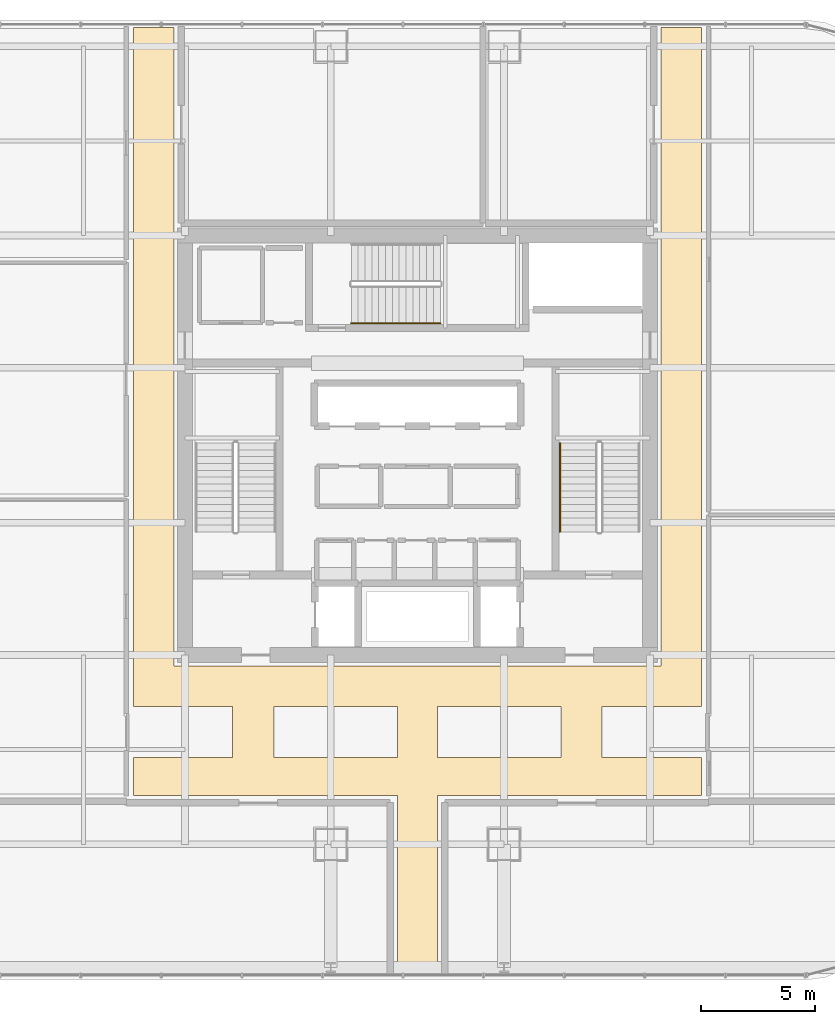
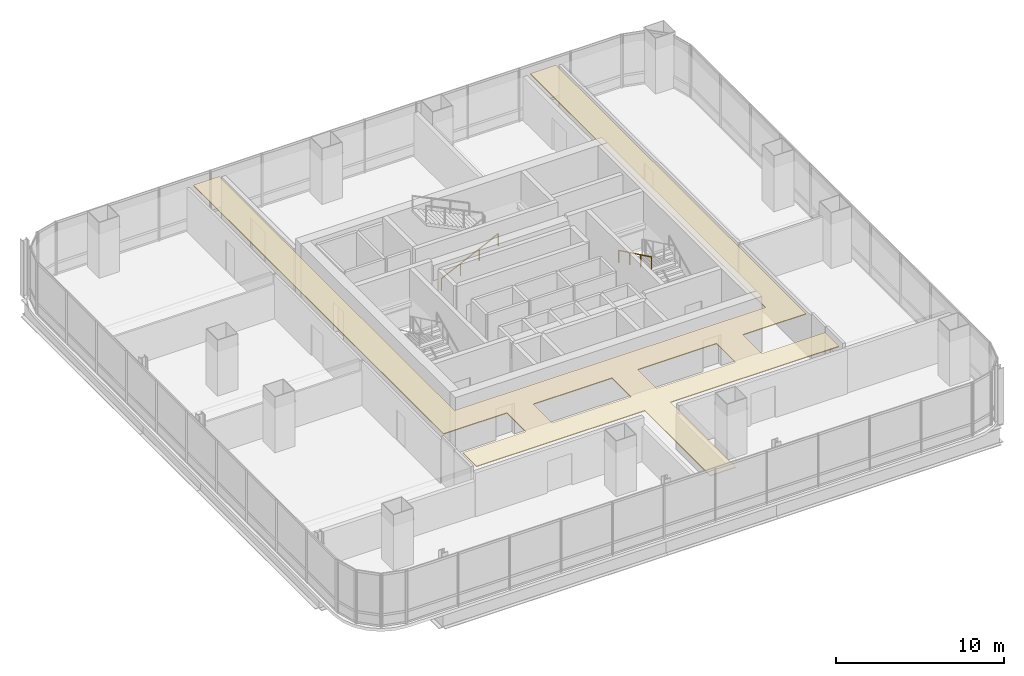
# One storey, part 34 of 36: 2 railings, 1 covering.
"""IFC4 building model written with IfcOpenShell, lengths in metres."""

from ifc_helpers import new_model, si_unit, direction, frame, origin, origin_2d, place, context, subcontext, project, spatial, polyline, circle, outline, extrude, material, layer, layer_set, type_object, element, save


model = new_model("IFC4")

# Units and contexts
model_context = context("Model", 3, precision=1e-05, world=origin(), true_north=direction((0.0, 1.0)))
body_context = subcontext(model_context, "Body", "Model", "MODEL_VIEW")
ifc_project = project(units=[si_unit("LENGTHUNIT", "METRE"), si_unit("AREAUNIT", "SQUARE_METRE"), si_unit("VOLUMEUNIT", "CUBIC_METRE"), si_unit("PLANEANGLEUNIT", "RADIAN"), si_unit("MASSUNIT", "GRAM", prefix="KILO")], contexts=[model_context])

# Site, building, storey
site_placement = place(None, origin())
site = spatial("IfcSite", under=ifc_project, at=site_placement, CompositionType="ELEMENT")
building_placement = place(site_placement, origin())
building = spatial("IfcBuilding", under=site, at=building_placement, Name="Punatoya Terracotta Tower", CompositionType="ELEMENT")
storey_placement = place(building_placement, frame((0.0, 0.0, 196.5)))
storey = spatial("IfcBuildingStorey", under=building, at=storey_placement, Name="L46", CompositionType="ELEMENT", Elevation=196.5)

# Covering
ifc_material_1 = material(Name="Acoustic Mineral Fibre Ceiling")
ifc_layer = layer(ifc_material_1, 0.06005859375)
ifc_layer_set = layer_set([ifc_layer], Name="Acoustic Mineral Fibre Ceiling")
covering_type = type_object("IfcCoveringType", Name="COV-CEIL-60", PredefinedType="CEILING", material=ifc_layer_set)
covering_placement = place(storey_placement, frame((0.0, 0.0, 3.219970703125)))
element("IfcCovering", 1, at=covering_placement, inside=storey, type_object=covering_type, Name="L46 Central Spine Circulation Corridor Acoustic Ceiling", PredefinedType="CEILING", context=body_context, shape_type="SweptSolid", body=[
    extrude(outline(polyline([(-0.8798828125, -15.35009765625), (-0.8798828125, -23.1298828125), (0.8798828125, -23.1298828125), (0.8798828125, -15.35009765625), (12.449951171875, -15.35009765625), (12.449951171875, -13.699951171875), (8.10009765625, -13.699951171875), (8.10009765625, -11.449951171875), (12.449951171875, -11.449951171875), (12.449951171875, 18.330078125), (10.679931640625, 18.330078125), (10.679931640625, -9.679931640625), (-10.679931640625, -9.679931640625), (-10.679931640625, 18.330078125), (-12.449951171875, 18.330078125), (-12.449951171875, -11.449951171875), (-8.10009765625, -11.449951171875), (-8.10009765625, -13.699951171875), (-12.449951171875, -13.699951171875), (-12.449951171875, -15.35009765625), (-0.8798828125, -15.35009765625)]), holes=[polyline([(6.300048828125, -13.699951171875), (0.8798828125, -13.699951171875), (0.8798828125, -11.449951171875), (6.300048828125, -11.449951171875), (6.300048828125, -13.699951171875)]), polyline([(-0.8798828125, -13.699951171875), (-6.300048828125, -13.699951171875), (-6.300048828125, -11.449951171875), (-0.8798828125, -11.449951171875), (-0.8798828125, -13.699951171875)])]), origin(), (0.0, 0.0, 1.0), 0.06005859375),
])

# Railings
ifc_material_2 = material(Name="Steel S355", Category="steel")
railing_type = type_object("IfcRailingType", Name="RLG-HND-900", PredefinedType="HANDRAIL", material=ifc_material_2)
railing_1_placement = place(storey_placement, frame((6.25, 0.10009765625, 2.169677734375)))
element("IfcRailing", 2, at=railing_1_placement, inside=storey, type_object=railing_type, Name="L46 ST-2 stair handrail 2", PredefinedType="HANDRAIL", context=body_context, shape_type="SweptSolid", body=[
    extrude(circle(Radius=0.02392578125, at=origin_2d()), frame((0.0, 0.0, 0.8759765625), z_axis=(0.0, -0.900773802044, 0.434288564841), x_axis=(1.0, 0.0, 0.0)), (0.0, 0.0, 1.0), 4.329833984375),
    extrude(circle(Radius=0.02099609375, at=origin_2d()), origin(), (0.0, 0.0, 1.0), 0.851806640625),
    extrude(circle(Radius=0.02099609375, at=origin_2d()), frame((0.0, -1.300048828125, 0.626708984375)), (0.0, 0.0, 1.0), 0.851806640625),
    extrude(circle(Radius=0.02099609375, at=origin_2d()), frame((0.0, -2.60009765625, 1.253662109375)), (0.0, 0.0, 1.0), 0.851806640625),
    extrude(circle(Radius=0.02099609375, at=origin_2d()), frame((0.0, -3.900146484375, 1.88037109375)), (0.0, 0.0, 1.0), 0.851806640625),
])
railing_2_placement = place(storey_placement, frame((-2.89990234375, 5.35009765625, 0.14453125)))
element("IfcRailing", 3, at=railing_2_placement, inside=storey, type_object=railing_type, Name="L46 ST-3 stair handrail 1", PredefinedType="HANDRAIL", context=body_context, shape_type="SweptSolid", body=[
    extrude(circle(Radius=0.02392578125, at=origin_2d()), frame((0.0, 0.0, 0.8759765625), z_axis=(0.900763166376, 0.0, 0.434310623978), x_axis=(0.0, 1.0, 0.0)), (0.0, 0.0, 1.0), 4.32958984375),
    extrude(circle(Radius=0.02099609375, at=origin_2d()), origin(), (0.0, 0.0, 1.0), 0.851806640625),
    extrude(circle(Radius=0.02099609375, at=origin_2d()), frame((1.300048828125, 0.0, 0.626708984375)), (0.0, 0.0, 1.0), 0.851806640625),
    extrude(circle(Radius=0.02099609375, at=origin_2d()), frame((2.599853515625, 0.0, 1.253662109375)), (0.0, 0.0, 1.0), 0.851806640625),
    extrude(circle(Radius=0.02099609375, at=origin_2d()), frame((3.89990234375, 0.0, 1.88037109375)), (0.0, 0.0, 1.0), 0.851806640625),
])

save(model, "model.ifc")
